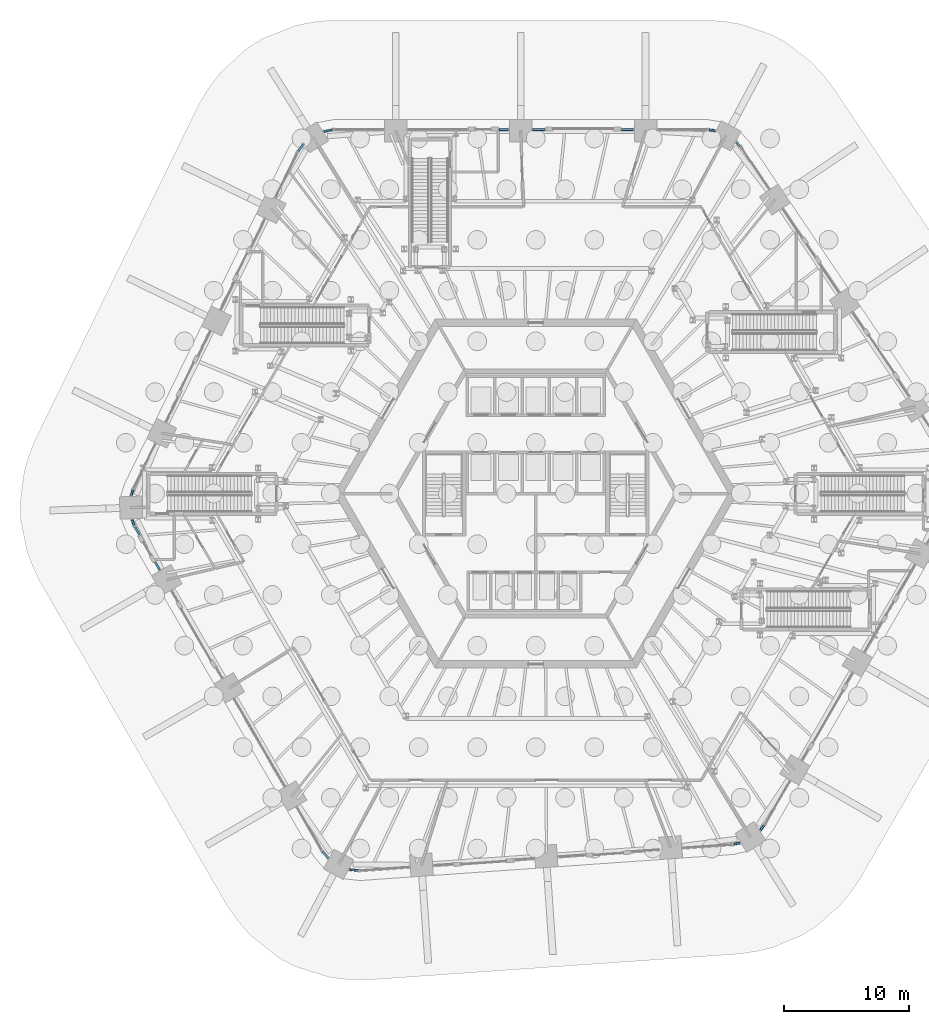
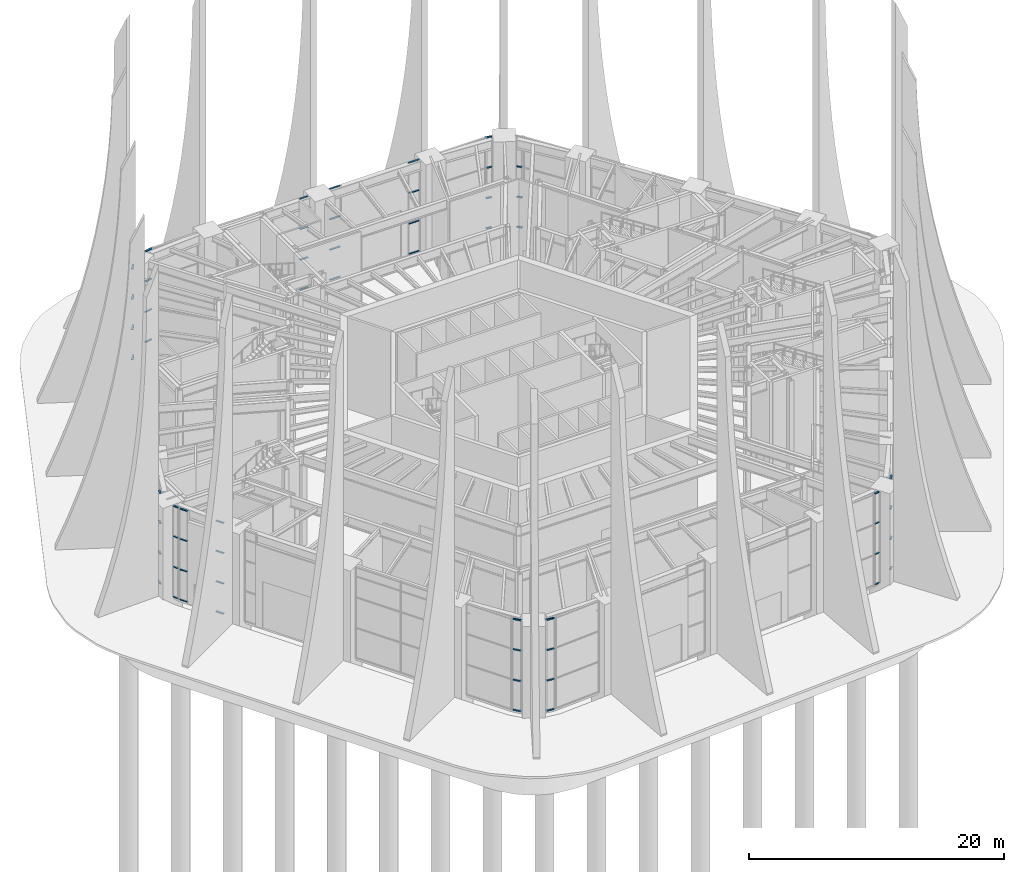
# One storey, part 16 of 43: 59 members, 15 elements without a shape of their own.
"""IFC4 building model written with IfcOpenShell, lengths in metres."""

import ifcopenshell
import ifcopenshell.guid

model = None  # the IFC model being written
_history = None  # IfcOwnerHistory: only IFC2X3 demands one
_inside = {}  # id of a spatial element -> (the spatial element, [elements in it])
_under = {}  # id of a project, library or spatial element -> (it, [spatial elements below it])
_declared = {}  # id of a project -> (the project, [libraries it declares])
_typed = {}  # id of a type object -> (the type object, [elements of that type])
_made_of = {}  # id of a material, layer set ... -> (it, [elements and type objects made of it])


def new_model(schema):
    """Start an empty IFC model of exactly this schema.

    Asked for "IFC4X3", IfcOpenShell would pick the latest addendum, in which some entities
    have other attributes; the version numbers below select the first issue.
    IFC2X3 requires an IfcOwnerHistory on every rooted entity: one is made here for all.
    """
    global model, _history
    if schema == "IFC4X3":
        model = ifcopenshell.file(schema_version=(4, 3, 0, 0))
    else:
        model = ifcopenshell.file(schema=schema)
    _inside.clear()
    _under.clear()
    _declared.clear()
    _typed.clear()
    _made_of.clear()
    _history = None
    if model.schema == "IFC2X3":
        org = make("IfcOrganization", Name="unknown")
        user = make(
            "IfcPersonAndOrganization",
            ThePerson=make("IfcPerson", FamilyName="unknown"),
            TheOrganization=org,
        )
        app = make(
            "IfcApplication",
            ApplicationDeveloper=org,
            Version="unknown",
            ApplicationFullName="unknown",
            ApplicationIdentifier="unknown",
        )
        _history = make(
            "IfcOwnerHistory",
            OwningUser=user,
            OwningApplication=app,
            ChangeAction="ADDED",
            CreationDate=0,
        )
    return model


def make(cls, **values):
    """One entity of the class cls with the attributes given. An attribute that is None is left unset."""
    return model.create_entity(
        cls, **{name: value for name, value in values.items() if value is not None}
    )


def rooted(cls, **values):
    """An entity with a GlobalId (a new one), such as an element, a storey or a relation."""
    return make(cls, GlobalId=ifcopenshell.guid.new(), OwnerHistory=_history, **values)


def si_unit(unit_type, name, prefix=None):
    """IfcSIUnit, for example si_unit("LENGTHUNIT", "METRE", prefix="MILLI")."""
    return make("IfcSIUnit", UnitType=unit_type, Prefix=prefix, Name=name)


def assignment(units):
    """IfcUnitAssignment: the units of a project."""
    return None if units is None else make("IfcUnitAssignment", Units=units)


def point(xyz):
    """IfcCartesianPoint."""
    return None if xyz is None else make("IfcCartesianPoint", Coordinates=xyz)


def direction(xyz):
    """IfcDirection."""
    return None if xyz is None else make("IfcDirection", DirectionRatios=xyz)


def frame(location, z_axis=None, x_axis=None):
    """IfcAxis2Placement3D, a coordinate frame: its origin and axes. An axis left out is left unset."""
    return make(
        "IfcAxis2Placement3D",
        Location=point(location),
        Axis=direction(z_axis),
        RefDirection=direction(x_axis),
    )


def frame_2d(location, x_axis=None):
    """IfcAxis2Placement2D, a coordinate frame in the plane: its origin and x axis."""
    return make(
        "IfcAxis2Placement2D", Location=point(location), RefDirection=direction(x_axis)
    )


def origin():
    """The frame at (0, 0, 0) with its axes left unset."""
    return frame((0.0, 0.0, 0.0))


def origin_2d():
    """The frame at (0, 0) in the plane with its x axis left unset."""
    return frame_2d((0.0, 0.0))


def place(relative_to, where):
    """IfcLocalPlacement: puts the frame where relative to a parent placement (None: the world)."""
    return make(
        "IfcLocalPlacement", PlacementRelTo=relative_to, RelativePlacement=where
    )


def context(
    kind, dimensions, precision=None, world=None, true_north=None, identifier=None
):
    """IfcGeometricRepresentationContext, for example the 3D "Model" context."""
    return make(
        "IfcGeometricRepresentationContext",
        ContextIdentifier=identifier,
        ContextType=kind,
        CoordinateSpaceDimension=dimensions,
        Precision=precision,
        WorldCoordinateSystem=world,
        TrueNorth=true_north,
    )


def subcontext(parent, identifier, kind, view, scale=None):
    """IfcGeometricRepresentationSubContext, for example "Body" below "Model"."""
    return make(
        "IfcGeometricRepresentationSubContext",
        ContextIdentifier=identifier,
        ContextType=kind,
        ParentContext=parent,
        TargetScale=scale,
        TargetView=view,
    )


def project(units=None, contexts=None):
    """IfcProject with its units and contexts."""
    return rooted(
        "IfcProject",
        Name="project",
        RepresentationContexts=contexts,
        UnitsInContext=assignment(units),
    )


def spatial(cls, under=None, at=None, **own):
    """A site, building, storey or space (cls), placed at a placement, below another one or the project."""
    s = rooted(cls, ObjectPlacement=at, **own)
    if under is not None:
        _under.setdefault(under.id(), (under, []))[1].append(s)
    return s


def profile(cls, at=None, kind="AREA", **sizes):
    """A parametric profile (cls). Its sizes go by their IFC names, for example OverallWidth=200.0."""
    return make(cls, ProfileType=kind, Position=at, **sizes)


def rectangle(**sizes):
    """IfcRectangleProfileDef."""
    return profile("IfcRectangleProfileDef", **sizes)


def extrude(swept, where, along, depth):
    """IfcExtrudedAreaSolid: the profile swept, set in the frame where, extruded along a direction by depth."""
    return make(
        "IfcExtrudedAreaSolid",
        SweptArea=swept,
        Position=where,
        ExtrudedDirection=direction(along),
        Depth=depth,
    )


def shape(context_of_items, identifier, shape_type, items):
    """IfcShapeRepresentation: the items that make up one representation, for example the "Body"."""
    return make(
        "IfcShapeRepresentation",
        ContextOfItems=context_of_items,
        RepresentationIdentifier=identifier,
        RepresentationType=shape_type,
        Items=items,
    )


def material(Name=None, Category=None):
    """IfcMaterial."""
    return make("IfcMaterial", Name=Name, Category=Category)


def material_profile(
    of_material, cross_section, Name=None, Category=None, Priority=None
):
    """IfcMaterialProfile: a cross section and its material."""
    return make(
        "IfcMaterialProfile",
        Name=Name,
        Material=of_material,
        Profile=cross_section,
        Priority=Priority,
        Category=Category,
    )


def profile_set(profiles, Name=None, composite=None):
    """IfcMaterialProfileSet."""
    return make(
        "IfcMaterialProfileSet",
        Name=Name,
        MaterialProfiles=profiles,
        CompositeProfile=composite,
    )


def made_of(thing, what):
    """Note that an element or type object is made of a material, layer set ...; save() writes the relation."""
    if what is not None:
        _made_of.setdefault(what.id(), (what, []))[1].append(thing)
    return thing


def type_object(cls, material=None, **own):
    """A type object (cls), such as IfcWallType, which elements share."""
    return made_of(rooted(cls, **own), material)


def element(
    cls,
    number,
    at=None,
    inside=None,
    cuts=None,
    type_object=None,
    material=None,
    context=None,
    identifier="Body",
    shape_type=None,
    held_by="IfcProductDefinitionShape",
    body=None,
    shapes=None,
    **own,
):
    """One element of the class cls, such as IfcWall. Its Tag is "e" and its number.

    at: its placement. inside: the storey or other place that contains it. cuts: it is an
    opening in that element (IfcRelVoidsElement). A single representation is given by context,
    identifier, shape_type and body (its items); several are given by shapes. held_by: the class
    of the entity that holds the representations. save() writes the other relations.
    """
    e = rooted(cls, Tag="e%d" % number, ObjectPlacement=at, **own)
    if body is not None:
        shapes = [shape(context, identifier, shape_type, body)]
    if shapes is not None:
        e.Representation = make(held_by, Representations=shapes)
    if inside is not None:
        _inside.setdefault(inside.id(), (inside, []))[1].append(e)
    if cuts is not None:
        rooted(
            "IfcRelVoidsElement", RelatingBuildingElement=cuts, RelatedOpeningElement=e
        )
    if type_object is not None:
        _typed.setdefault(type_object.id(), (type_object, []))[1].append(e)
    return made_of(e, material)


def aggregate(whole, parts):
    """IfcRelAggregates: a whole, such as a stair, and the parts it consists of."""
    return rooted("IfcRelAggregates", RelatingObject=whole, RelatedObjects=parts)


def save(model, path):
    """Write the relations noted so far, then the file.

    IfcRelAggregates (storeys below a building ...), IfcRelContainedInSpatialStructure (elements
    in a storey), IfcRelDefinesByType, IfcRelAssociatesMaterial and IfcRelDeclares: one each for
    every whole, place, type object, material and project.
    """
    for whole, parts in _under.values():
        aggregate(whole, parts)
    for where, things in _inside.values():
        rooted(
            "IfcRelContainedInSpatialStructure",
            RelatedElements=things,
            RelatingStructure=where,
        )
    for kind, things in _typed.values():
        rooted("IfcRelDefinesByType", RelatedObjects=things, RelatingType=kind)
    for what, things in _made_of.values():
        rooted("IfcRelAssociatesMaterial", RelatedObjects=things, RelatingMaterial=what)
    for by, libraries in _declared.values():
        rooted("IfcRelDeclares", RelatingContext=by, RelatedDefinitions=libraries)
    model.write(path)


model = new_model("IFC4")

# Units and contexts
model_context = context("Model", 3, precision=1e-05, world=origin(), true_north=direction((0.0, 1.0)))
body_context = subcontext(model_context, "Body", "Model", "MODEL_VIEW")
ifc_project = project(units=[si_unit("LENGTHUNIT", "METRE"), si_unit("AREAUNIT", "SQUARE_METRE"), si_unit("VOLUMEUNIT", "CUBIC_METRE"), si_unit("PLANEANGLEUNIT", "RADIAN"), si_unit("MASSUNIT", "GRAM", prefix="KILO")], contexts=[model_context])

# Site, building, storey
site_placement = place(None, origin())
site = spatial("IfcSite", under=ifc_project, at=site_placement, CompositionType="ELEMENT")
building_placement = place(site_placement, origin())
building = spatial("IfcBuilding", under=site, at=building_placement, Name="Tarnside Tower", CompositionType="ELEMENT")
storey_placement = place(building_placement, origin())
storey = spatial("IfcBuildingStorey", under=building, at=storey_placement, Name="L00", CompositionType="ELEMENT", Elevation=0.0)

# Curtain wall, members
ifc_material_1 = material(Name="Station concourse glazing wall", Category="glass")
curtain_wall_type = type_object("IfcCurtainWallType", Name="Station concourse glazing wall", PredefinedType="NOTDEFINED", material=ifc_material_1)
curtain_wall_1_placement = place(storey_placement, origin())
curtain_wall_1 = element("IfcCurtainWall", 1, at=curtain_wall_1_placement, inside=storey, type_object=curtain_wall_type, Name="Side light 00a", PredefinedType="NOTDEFINED")
ifc_material_2 = material(Name="Aluminium alloy 6063", Category="aluminium")
ifc_material_profile = material_profile(ifc_material_2, rectangle(XDim=0.159912109375, YDim=0.080078125, at=origin_2d()), Name="Station concourse glazing transom 80 x 160")
ifc_profile_set = profile_set([ifc_material_profile], Name="Aluminium alloy 6063")
member_type = type_object("IfcMemberType", Name="Station concourse glazing transom 80 x 160", PredefinedType="USERDEFINED", material=ifc_profile_set)
member_1_placement = place(storey_placement, frame((7.83251953125, 29.199951171875, 0.0400390625), z_axis=(-1.0, 0.0, 0.0), x_axis=(0.0, -1.0, 0.0)))
member_1 = element("IfcMember", 2, at=member_1_placement, type_object=member_type, Name="CW1 transom 1.1", ObjectType="TRANSOM", PredefinedType="USERDEFINED", context=body_context, shape_type="SweptSolid", body=[
    extrude(rectangle(XDim=0.159912109375, YDim=0.080078125, at=origin_2d()), origin(), (0.0, 0.0, 1.0), 0.95166015625),
])
member_2_placement = place(storey_placement, frame((7.83251953125, 29.199951171875, 2.916748046875), z_axis=(-1.0, 0.0, 0.0), x_axis=(0.0, -1.0, 0.0)))
member_2 = element("IfcMember", 3, at=member_2_placement, type_object=member_type, Name="CW1 transom 1.2", ObjectType="TRANSOM", PredefinedType="USERDEFINED", context=body_context, shape_type="SweptSolid", body=[
    extrude(rectangle(XDim=0.159912109375, YDim=0.080078125, at=origin_2d()), origin(), (0.0, 0.0, 1.0), 0.95166015625),
])
member_3_placement = place(storey_placement, frame((7.83251953125, 29.199951171875, 5.833251953125), z_axis=(-1.0, 0.0, 0.0), x_axis=(0.0, -1.0, 0.0)))
member_3 = element("IfcMember", 4, at=member_3_placement, type_object=member_type, Name="CW1 transom 1.3", ObjectType="TRANSOM", PredefinedType="USERDEFINED", context=body_context, shape_type="SweptSolid", body=[
    extrude(rectangle(XDim=0.159912109375, YDim=0.080078125, at=origin_2d()), origin(), (0.0, 0.0, 1.0), 0.95166015625),
])
member_4_placement = place(storey_placement, frame((7.83251953125, 29.199951171875, 8.7099609375), z_axis=(-1.0, 0.0, 0.0), x_axis=(0.0, -1.0, 0.0)))
member_4 = element("IfcMember", 5, at=member_4_placement, type_object=member_type, Name="CW1 transom 1.4", ObjectType="TRANSOM", PredefinedType="USERDEFINED", context=body_context, shape_type="SweptSolid", body=[
    extrude(rectangle(XDim=0.159912109375, YDim=0.080078125, at=origin_2d()), origin(), (0.0, 0.0, 1.0), 0.95166015625),
])
aggregate(curtain_wall_1, [member_1, member_2, member_3, member_4])

curtain_wall_2_placement = place(storey_placement, origin())
curtain_wall_2 = element("IfcCurtainWall", 6, at=curtain_wall_2_placement, inside=storey, type_object=curtain_wall_type, Name="Side light 00b", PredefinedType="NOTDEFINED")
member_5_placement = place(storey_placement, frame((0.720703125, 29.199951171875, 0.0400390625), z_axis=(-1.0, 0.0, 0.0), x_axis=(0.0, -1.0, 0.0)))
member_5 = element("IfcMember", 7, at=member_5_placement, type_object=member_type, Name="CW1 transom 1.1", ObjectType="TRANSOM", PredefinedType="USERDEFINED", context=body_context, shape_type="SweptSolid", body=[
    extrude(rectangle(XDim=0.159912109375, YDim=0.080078125, at=origin_2d()), origin(), (0.0, 0.0, 1.0), 0.95166015625),
])
member_6_placement = place(storey_placement, frame((0.720703125, 29.199951171875, 2.916748046875), z_axis=(-1.0, 0.0, 0.0), x_axis=(0.0, -1.0, 0.0)))
member_6 = element("IfcMember", 8, at=member_6_placement, type_object=member_type, Name="CW1 transom 1.2", ObjectType="TRANSOM", PredefinedType="USERDEFINED", context=body_context, shape_type="SweptSolid", body=[
    extrude(rectangle(XDim=0.159912109375, YDim=0.080078125, at=origin_2d()), origin(), (0.0, 0.0, 1.0), 0.95166015625),
])
member_7_placement = place(storey_placement, frame((0.720703125, 29.199951171875, 5.833251953125), z_axis=(-1.0, 0.0, 0.0), x_axis=(0.0, -1.0, 0.0)))
member_7 = element("IfcMember", 9, at=member_7_placement, type_object=member_type, Name="CW1 transom 1.3", ObjectType="TRANSOM", PredefinedType="USERDEFINED", context=body_context, shape_type="SweptSolid", body=[
    extrude(rectangle(XDim=0.159912109375, YDim=0.080078125, at=origin_2d()), origin(), (0.0, 0.0, 1.0), 0.95166015625),
])
member_8_placement = place(storey_placement, frame((0.720703125, 29.199951171875, 8.7099609375), z_axis=(-1.0, 0.0, 0.0), x_axis=(0.0, -1.0, 0.0)))
member_8 = element("IfcMember", 10, at=member_8_placement, type_object=member_type, Name="CW1 transom 1.4", ObjectType="TRANSOM", PredefinedType="USERDEFINED", context=body_context, shape_type="SweptSolid", body=[
    extrude(rectangle(XDim=0.159912109375, YDim=0.080078125, at=origin_2d()), origin(), (0.0, 0.0, 1.0), 0.95166015625),
])
aggregate(curtain_wall_2, [member_5, member_6, member_7, member_8])

curtain_wall_3_placement = place(storey_placement, origin())
curtain_wall_3 = element("IfcCurtainWall", 11, at=curtain_wall_3_placement, inside=storey, type_object=curtain_wall_type, Name="Side light 010a", PredefinedType="NOTDEFINED")
member_9_placement = place(storey_placement, frame((-2.191162109375, 29.199951171875, 0.0400390625), z_axis=(-1.0, 0.0, 0.0), x_axis=(0.0, -1.0, 0.0)))
member_9 = element("IfcMember", 12, at=member_9_placement, type_object=member_type, Name="CW1 transom 1.1", ObjectType="TRANSOM", PredefinedType="USERDEFINED", context=body_context, shape_type="SweptSolid", body=[
    extrude(rectangle(XDim=0.159912109375, YDim=0.080078125, at=origin_2d()), origin(), (0.0, 0.0, 1.0), 0.739990234375),
])
member_10_placement = place(storey_placement, frame((-2.191162109375, 29.199951171875, 2.916748046875), z_axis=(-1.0, 0.0, 0.0), x_axis=(0.0, -1.0, 0.0)))
member_10 = element("IfcMember", 13, at=member_10_placement, type_object=member_type, Name="CW1 transom 1.2", ObjectType="TRANSOM", PredefinedType="USERDEFINED", context=body_context, shape_type="SweptSolid", body=[
    extrude(rectangle(XDim=0.159912109375, YDim=0.080078125, at=origin_2d()), origin(), (0.0, 0.0, 1.0), 0.739990234375),
])
member_11_placement = place(storey_placement, frame((-2.191162109375, 29.199951171875, 5.833251953125), z_axis=(-1.0, 0.0, 0.0), x_axis=(0.0, -1.0, 0.0)))
member_11 = element("IfcMember", 14, at=member_11_placement, type_object=member_type, Name="CW1 transom 1.3", ObjectType="TRANSOM", PredefinedType="USERDEFINED", context=body_context, shape_type="SweptSolid", body=[
    extrude(rectangle(XDim=0.159912109375, YDim=0.080078125, at=origin_2d()), origin(), (0.0, 0.0, 1.0), 0.739990234375),
])
member_12_placement = place(storey_placement, frame((-2.191162109375, 29.199951171875, 8.7099609375), z_axis=(-1.0, 0.0, 0.0), x_axis=(0.0, -1.0, 0.0)))
member_12 = element("IfcMember", 15, at=member_12_placement, type_object=member_type, Name="CW1 transom 1.4", ObjectType="TRANSOM", PredefinedType="USERDEFINED", context=body_context, shape_type="SweptSolid", body=[
    extrude(rectangle(XDim=0.159912109375, YDim=0.080078125, at=origin_2d()), origin(), (0.0, 0.0, 1.0), 0.739990234375),
])
aggregate(curtain_wall_3, [member_9, member_10, member_11, member_12])

curtain_wall_4_placement = place(storey_placement, origin())
curtain_wall_4 = element("IfcCurtainWall", 16, at=curtain_wall_4_placement, inside=storey, type_object=curtain_wall_type, Name="Station concourse glazing L00 02.1", PredefinedType="NOTDEFINED")
member_13_placement = place(storey_placement, frame((-16.34375, 29.183349609375, 0.0400390625), z_axis=(-0.982746578924, -0.184957188595, 0.0), x_axis=(0.184957188595, -0.982746578924, 0.0)))
member_13 = element("IfcMember", 17, at=member_13_placement, type_object=member_type, Name="CW1 transom 1.1", ObjectType="TRANSOM", PredefinedType="USERDEFINED", context=body_context, shape_type="SweptSolid", body=[
    extrude(rectangle(XDim=0.159912109375, YDim=0.080078125, at=origin_2d()), origin(), (0.0, 0.0, 1.0), 0.661376953125),
])
member_14_placement = place(storey_placement, frame((-16.34375, 29.183349609375, 2.916748046875), z_axis=(-0.982746578924, -0.184957188595, 0.0), x_axis=(0.184957188595, -0.982746578924, 0.0)))
member_14 = element("IfcMember", 18, at=member_14_placement, type_object=member_type, Name="CW1 transom 1.2", ObjectType="TRANSOM", PredefinedType="USERDEFINED", context=body_context, shape_type="SweptSolid", body=[
    extrude(rectangle(XDim=0.159912109375, YDim=0.080078125, at=origin_2d()), origin(), (0.0, 0.0, 1.0), 0.661376953125),
])
member_15_placement = place(storey_placement, frame((-16.34375, 29.183349609375, 5.833251953125), z_axis=(-0.982746578924, -0.184957188595, 0.0), x_axis=(0.184957188595, -0.982746578924, 0.0)))
member_15 = element("IfcMember", 19, at=member_15_placement, type_object=member_type, Name="CW1 transom 1.3", ObjectType="TRANSOM", PredefinedType="USERDEFINED", context=body_context, shape_type="SweptSolid", body=[
    extrude(rectangle(XDim=0.159912109375, YDim=0.080078125, at=origin_2d()), origin(), (0.0, 0.0, 1.0), 0.661376953125),
])
member_16_placement = place(storey_placement, frame((-16.34375, 29.183349609375, 8.7099609375), z_axis=(-0.982746578924, -0.184957188595, 0.0), x_axis=(0.184957188595, -0.982746578924, 0.0)))
member_16 = element("IfcMember", 20, at=member_16_placement, type_object=member_type, Name="CW1 transom 1.4", ObjectType="TRANSOM", PredefinedType="USERDEFINED", context=body_context, shape_type="SweptSolid", body=[
    extrude(rectangle(XDim=0.159912109375, YDim=0.080078125, at=origin_2d()), origin(), (0.0, 0.0, 1.0), 0.661376953125),
])
aggregate(curtain_wall_4, [member_13, member_14, member_15, member_16])

curtain_wall_5_placement = place(storey_placement, origin())
curtain_wall_5 = element("IfcCurtainWall", 21, at=curtain_wall_5_placement, inside=storey, type_object=curtain_wall_type, Name="Station concourse glazing L00 03.0", PredefinedType="NOTDEFINED")
member_17_placement = place(storey_placement, frame((-18.67041015625, 28.013427734375, 0.0400390625), z_axis=(-0.596983140621, -0.802253781428, 0.0), x_axis=(0.802253781428, -0.596983140621, 0.0)))
member_17 = element("IfcMember", 22, at=member_17_placement, type_object=member_type, Name="CW1 transom 1.1", ObjectType="TRANSOM", PredefinedType="USERDEFINED", context=body_context, shape_type="SweptSolid", body=[
    extrude(rectangle(XDim=0.159912109375, YDim=0.080078125, at=origin_2d()), origin(), (0.0, 0.0, 1.0), 0.661376953125),
])
member_18_placement = place(storey_placement, frame((-18.67041015625, 28.013427734375, 2.916748046875), z_axis=(-0.596983140621, -0.802253781428, 0.0), x_axis=(0.802253781428, -0.596983140621, 0.0)))
member_18 = element("IfcMember", 23, at=member_18_placement, type_object=member_type, Name="CW1 transom 1.2", ObjectType="TRANSOM", PredefinedType="USERDEFINED", context=body_context, shape_type="SweptSolid", body=[
    extrude(rectangle(XDim=0.159912109375, YDim=0.080078125, at=origin_2d()), origin(), (0.0, 0.0, 1.0), 0.661376953125),
])
member_19_placement = place(storey_placement, frame((-18.67041015625, 28.013427734375, 5.833251953125), z_axis=(-0.596983140621, -0.802253781428, 0.0), x_axis=(0.802253781428, -0.596983140621, 0.0)))
member_19 = element("IfcMember", 24, at=member_19_placement, type_object=member_type, Name="CW1 transom 1.3", ObjectType="TRANSOM", PredefinedType="USERDEFINED", context=body_context, shape_type="SweptSolid", body=[
    extrude(rectangle(XDim=0.159912109375, YDim=0.080078125, at=origin_2d()), origin(), (0.0, 0.0, 1.0), 0.661376953125),
])
member_20_placement = place(storey_placement, frame((-18.67041015625, 28.013427734375, 8.7099609375), z_axis=(-0.596983140621, -0.802253781428, 0.0), x_axis=(0.802253781428, -0.596983140621, 0.0)))
member_20 = element("IfcMember", 25, at=member_20_placement, type_object=member_type, Name="CW1 transom 1.4", ObjectType="TRANSOM", PredefinedType="USERDEFINED", context=body_context, shape_type="SweptSolid", body=[
    extrude(rectangle(XDim=0.159912109375, YDim=0.080078125, at=origin_2d()), origin(), (0.0, 0.0, 1.0), 0.661376953125),
])
aggregate(curtain_wall_5, [member_17, member_18, member_19, member_20])

curtain_wall_6_placement = place(storey_placement, origin())
curtain_wall_6 = element("IfcCurtainWall", 26, at=curtain_wall_6_placement, inside=storey, type_object=curtain_wall_type, Name="Station concourse glazing L00 06.1", PredefinedType="NOTDEFINED")
member_21_placement = place(storey_placement, frame((-32.333984375, 0.283203125, 0.0400390625), z_axis=(-0.286647862897, -0.958036013257, 0.0), x_axis=(0.958036013257, -0.286647862897, 0.0)))
member_21 = element("IfcMember", 27, at=member_21_placement, type_object=member_type, Name="CW1 transom 1.1", ObjectType="TRANSOM", PredefinedType="USERDEFINED", context=body_context, shape_type="SweptSolid", body=[
    extrude(rectangle(XDim=0.159912109375, YDim=0.080078125, at=origin_2d()), origin(), (0.0, 0.0, 1.0), 0.447998046875),
])
member_22_placement = place(storey_placement, frame((-32.333984375, 0.283203125, 2.916748046875), z_axis=(-0.286647862897, -0.958036013257, 0.0), x_axis=(0.958036013257, -0.286647862897, 0.0)))
member_22 = element("IfcMember", 28, at=member_22_placement, type_object=member_type, Name="CW1 transom 1.2", ObjectType="TRANSOM", PredefinedType="USERDEFINED", context=body_context, shape_type="SweptSolid", body=[
    extrude(rectangle(XDim=0.159912109375, YDim=0.080078125, at=origin_2d()), origin(), (0.0, 0.0, 1.0), 0.447998046875),
])
member_23_placement = place(storey_placement, frame((-32.333984375, 0.283203125, 5.833251953125), z_axis=(-0.286647862897, -0.958036013257, 0.0), x_axis=(0.958036013257, -0.286647862897, 0.0)))
member_23 = element("IfcMember", 29, at=member_23_placement, type_object=member_type, Name="CW1 transom 1.3", ObjectType="TRANSOM", PredefinedType="USERDEFINED", context=body_context, shape_type="SweptSolid", body=[
    extrude(rectangle(XDim=0.159912109375, YDim=0.080078125, at=origin_2d()), origin(), (0.0, 0.0, 1.0), 0.447998046875),
])
member_24_placement = place(storey_placement, frame((-32.333984375, 0.283203125, 8.7099609375), z_axis=(-0.286647862897, -0.958036013257, 0.0), x_axis=(0.958036013257, -0.286647862897, 0.0)))
member_24 = element("IfcMember", 30, at=member_24_placement, type_object=member_type, Name="CW1 transom 1.4", ObjectType="TRANSOM", PredefinedType="USERDEFINED", context=body_context, shape_type="SweptSolid", body=[
    extrude(rectangle(XDim=0.159912109375, YDim=0.080078125, at=origin_2d()), origin(), (0.0, 0.0, 1.0), 0.447998046875),
])
aggregate(curtain_wall_6, [member_21, member_22, member_23, member_24])

curtain_wall_7_placement = place(storey_placement, origin())
curtain_wall_7 = element("IfcCurtainWall", 31, at=curtain_wall_7_placement, inside=storey, type_object=curtain_wall_type, Name="Side light 070a", PredefinedType="NOTDEFINED")
member_25_placement = place(storey_placement, frame((-32.3935546875, -2.11865234375, 0.0400390625), z_axis=(0.352913328907, -0.93565601707, 0.0), x_axis=(0.93565601707, 0.352913328907, 0.0)))
member_25 = element("IfcMember", 32, at=member_25_placement, type_object=member_type, Name="CW1 transom 1.1", ObjectType="TRANSOM", PredefinedType="USERDEFINED", context=body_context, shape_type="SweptSolid", body=[
    extrude(rectangle(XDim=0.159912109375, YDim=0.080078125, at=origin_2d()), origin(), (0.0, 0.0, 1.0), 0.4482421875),
])
member_26_placement = place(storey_placement, frame((-32.3935546875, -2.11865234375, 2.916748046875), z_axis=(0.352913328907, -0.93565601707, 0.0), x_axis=(0.93565601707, 0.352913328907, 0.0)))
member_26 = element("IfcMember", 33, at=member_26_placement, type_object=member_type, Name="CW1 transom 1.2", ObjectType="TRANSOM", PredefinedType="USERDEFINED", context=body_context, shape_type="SweptSolid", body=[
    extrude(rectangle(XDim=0.159912109375, YDim=0.080078125, at=origin_2d()), origin(), (0.0, 0.0, 1.0), 0.4482421875),
])
member_27_placement = place(storey_placement, frame((-32.3935546875, -2.11865234375, 5.833251953125), z_axis=(0.352913328907, -0.93565601707, 0.0), x_axis=(0.93565601707, 0.352913328907, 0.0)))
member_27 = element("IfcMember", 34, at=member_27_placement, type_object=member_type, Name="CW1 transom 1.3", ObjectType="TRANSOM", PredefinedType="USERDEFINED", context=body_context, shape_type="SweptSolid", body=[
    extrude(rectangle(XDim=0.159912109375, YDim=0.080078125, at=origin_2d()), origin(), (0.0, 0.0, 1.0), 0.4482421875),
])
member_28_placement = place(storey_placement, frame((-32.3935546875, -2.11865234375, 8.7099609375), z_axis=(0.352913328907, -0.93565601707, 0.0), x_axis=(0.93565601707, 0.352913328907, 0.0)))
member_28 = element("IfcMember", 35, at=member_28_placement, type_object=member_type, Name="CW1 transom 1.4", ObjectType="TRANSOM", PredefinedType="USERDEFINED", context=body_context, shape_type="SweptSolid", body=[
    extrude(rectangle(XDim=0.159912109375, YDim=0.080078125, at=origin_2d()), origin(), (0.0, 0.0, 1.0), 0.4482421875),
])
aggregate(curtain_wall_7, [member_25, member_26, member_27, member_28])

curtain_wall_8_placement = place(storey_placement, origin())
curtain_wall_8 = element("IfcCurtainWall", 36, at=curtain_wall_8_placement, inside=storey, type_object=curtain_wall_type, Name="Side light 071a", PredefinedType="NOTDEFINED")
member_29_placement = place(storey_placement, frame((-32.16015625, -2.697021484375, 0.0400390625), z_axis=(0.500026194733, -0.86601027972, 0.0), x_axis=(0.86601027972, 0.500026194733, 0.0)))
member_29 = element("IfcMember", 37, at=member_29_placement, type_object=member_type, Name="CW1 transom 1.1", ObjectType="TRANSOM", PredefinedType="USERDEFINED", context=body_context, shape_type="SweptSolid", body=[
    extrude(rectangle(XDim=0.159912109375, YDim=0.080078125, at=origin_2d()), origin(), (0.0, 0.0, 1.0), 0.69580078125),
])
member_30_placement = place(storey_placement, frame((-32.16015625, -2.697021484375, 2.916748046875), z_axis=(0.500026194733, -0.86601027972, 0.0), x_axis=(0.86601027972, 0.500026194733, 0.0)))
member_30 = element("IfcMember", 38, at=member_30_placement, type_object=member_type, Name="CW1 transom 1.2", ObjectType="TRANSOM", PredefinedType="USERDEFINED", context=body_context, shape_type="SweptSolid", body=[
    extrude(rectangle(XDim=0.159912109375, YDim=0.080078125, at=origin_2d()), origin(), (0.0, 0.0, 1.0), 0.69580078125),
])
member_31_placement = place(storey_placement, frame((-32.16015625, -2.697021484375, 5.833251953125), z_axis=(0.500026194733, -0.86601027972, 0.0), x_axis=(0.86601027972, 0.500026194733, 0.0)))
member_31 = element("IfcMember", 39, at=member_31_placement, type_object=member_type, Name="CW1 transom 1.3", ObjectType="TRANSOM", PredefinedType="USERDEFINED", context=body_context, shape_type="SweptSolid", body=[
    extrude(rectangle(XDim=0.159912109375, YDim=0.080078125, at=origin_2d()), origin(), (0.0, 0.0, 1.0), 0.69580078125),
])
member_32_placement = place(storey_placement, frame((-32.16015625, -2.697021484375, 8.7099609375), z_axis=(0.500026194733, -0.86601027972, 0.0), x_axis=(0.86601027972, 0.500026194733, 0.0)))
member_32 = element("IfcMember", 40, at=member_32_placement, type_object=member_type, Name="CW1 transom 1.4", ObjectType="TRANSOM", PredefinedType="USERDEFINED", context=body_context, shape_type="SweptSolid", body=[
    extrude(rectangle(XDim=0.159912109375, YDim=0.080078125, at=origin_2d()), origin(), (0.0, 0.0, 1.0), 0.69580078125),
])
aggregate(curtain_wall_8, [member_29, member_30, member_31, member_32])

curtain_wall_9_placement = place(storey_placement, origin())
curtain_wall_9 = element("IfcCurtainWall", 41, at=curtain_wall_9_placement, inside=storey, type_object=curtain_wall_type, Name="Side light 071x1", PredefinedType="NOTDEFINED")
member_33_placement = place(storey_placement, frame((-30.5322265625, -5.5166015625, 0.0400390625), z_axis=(0.499874285655, -0.86609797283, 0.0), x_axis=(0.86609797283, 0.499874285655, 0.0)))
member_33 = element("IfcMember", 42, at=member_33_placement, type_object=member_type, Name="CW1 transom 1.1", ObjectType="TRANSOM", PredefinedType="USERDEFINED", context=body_context, shape_type="SweptSolid", body=[
    extrude(rectangle(XDim=0.159912109375, YDim=0.080078125, at=origin_2d()), origin(), (0.0, 0.0, 1.0), 0.696044921875),
])
member_34_placement = place(storey_placement, frame((-30.5322265625, -5.5166015625, 2.916748046875), z_axis=(0.499874285655, -0.86609797283, 0.0), x_axis=(0.86609797283, 0.499874285655, 0.0)))
member_34 = element("IfcMember", 43, at=member_34_placement, type_object=member_type, Name="CW1 transom 1.2", ObjectType="TRANSOM", PredefinedType="USERDEFINED", context=body_context, shape_type="SweptSolid", body=[
    extrude(rectangle(XDim=0.159912109375, YDim=0.080078125, at=origin_2d()), origin(), (0.0, 0.0, 1.0), 0.696044921875),
])
member_35_placement = place(storey_placement, frame((-30.5322265625, -5.5166015625, 5.833251953125), z_axis=(0.499874285655, -0.86609797283, 0.0), x_axis=(0.86609797283, 0.499874285655, 0.0)))
member_35 = element("IfcMember", 44, at=member_35_placement, type_object=member_type, Name="CW1 transom 1.3", ObjectType="TRANSOM", PredefinedType="USERDEFINED", context=body_context, shape_type="SweptSolid", body=[
    extrude(rectangle(XDim=0.159912109375, YDim=0.080078125, at=origin_2d()), origin(), (0.0, 0.0, 1.0), 0.696044921875),
])
member_36_placement = place(storey_placement, frame((-30.5322265625, -5.5166015625, 8.7099609375), z_axis=(0.499874285655, -0.86609797283, 0.0), x_axis=(0.86609797283, 0.499874285655, 0.0)))
member_36 = element("IfcMember", 45, at=member_36_placement, type_object=member_type, Name="CW1 transom 1.4", ObjectType="TRANSOM", PredefinedType="USERDEFINED", context=body_context, shape_type="SweptSolid", body=[
    extrude(rectangle(XDim=0.159912109375, YDim=0.080078125, at=origin_2d()), origin(), (0.0, 0.0, 1.0), 0.696044921875),
])
aggregate(curtain_wall_9, [member_33, member_34, member_35, member_36])

curtain_wall_10_placement = place(storey_placement, origin())
curtain_wall_10 = element("IfcCurtainWall", 46, at=curtain_wall_10_placement, inside=storey, type_object=curtain_wall_type, Name="Station concourse glazing L00 10.1", PredefinedType="NOTDEFINED")
member_37_placement = place(storey_placement, frame((-17.101806640625, -28.745849609375, 0.0400390625), z_axis=(0.651763426337, -0.758422333591, 0.0), x_axis=(0.758422333591, 0.651763426337, 0.0)))
member_37 = element("IfcMember", 47, at=member_37_placement, type_object=member_type, Name="CW1 transom 1.1", ObjectType="TRANSOM", PredefinedType="USERDEFINED", context=body_context, shape_type="SweptSolid", body=[
    extrude(rectangle(XDim=0.159912109375, YDim=0.080078125, at=origin_2d()), origin(), (0.0, 0.0, 1.0), 0.66162109375),
])
member_38_placement = place(storey_placement, frame((-17.101806640625, -28.745849609375, 2.916748046875), z_axis=(0.651763426337, -0.758422333591, 0.0), x_axis=(0.758422333591, 0.651763426337, 0.0)))
member_38 = element("IfcMember", 48, at=member_38_placement, type_object=member_type, Name="CW1 transom 1.2", ObjectType="TRANSOM", PredefinedType="USERDEFINED", context=body_context, shape_type="SweptSolid", body=[
    extrude(rectangle(XDim=0.159912109375, YDim=0.080078125, at=origin_2d()), origin(), (0.0, 0.0, 1.0), 0.66162109375),
])
member_39_placement = place(storey_placement, frame((-17.101806640625, -28.745849609375, 5.833251953125), z_axis=(0.651763426337, -0.758422333591, 0.0), x_axis=(0.758422333591, 0.651763426337, 0.0)))
member_39 = element("IfcMember", 49, at=member_39_placement, type_object=member_type, Name="CW1 transom 1.3", ObjectType="TRANSOM", PredefinedType="USERDEFINED", context=body_context, shape_type="SweptSolid", body=[
    extrude(rectangle(XDim=0.159912109375, YDim=0.080078125, at=origin_2d()), origin(), (0.0, 0.0, 1.0), 0.66162109375),
])
member_40_placement = place(storey_placement, frame((-17.101806640625, -28.745849609375, 8.7099609375), z_axis=(0.651763426337, -0.758422333591, 0.0), x_axis=(0.758422333591, 0.651763426337, 0.0)))
member_40 = element("IfcMember", 50, at=member_40_placement, type_object=member_type, Name="CW1 transom 1.4", ObjectType="TRANSOM", PredefinedType="USERDEFINED", context=body_context, shape_type="SweptSolid", body=[
    extrude(rectangle(XDim=0.159912109375, YDim=0.080078125, at=origin_2d()), origin(), (0.0, 0.0, 1.0), 0.66162109375),
])
aggregate(curtain_wall_10, [member_37, member_38, member_39, member_40])

curtain_wall_11_placement = place(storey_placement, origin())
curtain_wall_11 = element("IfcCurtainWall", 51, at=curtain_wall_11_placement, inside=storey, type_object=curtain_wall_type, Name="Station concourse glazing L00 11.0", PredefinedType="NOTDEFINED")
member_41_placement = place(storey_placement, frame((-14.925048828125, -30.17578125, 0.0400390625), z_axis=(0.993261014722, -0.115898906957, 0.0), x_axis=(0.115898906957, 0.993261014722, 0.0)))
member_41 = element("IfcMember", 52, at=member_41_placement, type_object=member_type, Name="CW1 transom 1.1", ObjectType="TRANSOM", PredefinedType="USERDEFINED", context=body_context, shape_type="SweptSolid", body=[
    extrude(rectangle(XDim=0.159912109375, YDim=0.080078125, at=origin_2d()), origin(), (0.0, 0.0, 1.0), 0.661376953125),
])
member_42_placement = place(storey_placement, frame((-14.925048828125, -30.17578125, 2.916748046875), z_axis=(0.993261014722, -0.115898906957, 0.0), x_axis=(0.115898906957, 0.993261014722, 0.0)))
member_42 = element("IfcMember", 53, at=member_42_placement, type_object=member_type, Name="CW1 transom 1.2", ObjectType="TRANSOM", PredefinedType="USERDEFINED", context=body_context, shape_type="SweptSolid", body=[
    extrude(rectangle(XDim=0.159912109375, YDim=0.080078125, at=origin_2d()), origin(), (0.0, 0.0, 1.0), 0.661376953125),
])
member_43_placement = place(storey_placement, frame((-14.925048828125, -30.17578125, 5.833251953125), z_axis=(0.993261014722, -0.115898906957, 0.0), x_axis=(0.115898906957, 0.993261014722, 0.0)))
member_43 = element("IfcMember", 54, at=member_43_placement, type_object=member_type, Name="CW1 transom 1.3", ObjectType="TRANSOM", PredefinedType="USERDEFINED", context=body_context, shape_type="SweptSolid", body=[
    extrude(rectangle(XDim=0.159912109375, YDim=0.080078125, at=origin_2d()), origin(), (0.0, 0.0, 1.0), 0.661376953125),
])
member_44_placement = place(storey_placement, frame((-14.925048828125, -30.17578125, 8.7099609375), z_axis=(0.993261014722, -0.115898906957, 0.0), x_axis=(0.115898906957, 0.993261014722, 0.0)))
member_44 = element("IfcMember", 55, at=member_44_placement, type_object=member_type, Name="CW1 transom 1.4", ObjectType="TRANSOM", PredefinedType="USERDEFINED", context=body_context, shape_type="SweptSolid", body=[
    extrude(rectangle(XDim=0.159912109375, YDim=0.080078125, at=origin_2d()), origin(), (0.0, 0.0, 1.0), 0.661376953125),
])
aggregate(curtain_wall_11, [member_41, member_42, member_43, member_44])

curtain_wall_12_placement = place(storey_placement, origin())
curtain_wall_12 = element("IfcCurtainWall", 56, at=curtain_wall_12_placement, inside=storey, type_object=curtain_wall_type, Name="Station concourse glazing L00 14.1", PredefinedType="NOTDEFINED")
member_45_placement = place(storey_placement, frame((15.921630859375, -28.1435546875, 0.0400390625), z_axis=(0.97308028749, 0.230466383879, 0.0), x_axis=(-0.230466383879, 0.97308028749, 0.0)))
member_45 = element("IfcMember", 57, at=member_45_placement, type_object=member_type, Name="CW1 transom 1.1", ObjectType="TRANSOM", PredefinedType="USERDEFINED", context=body_context, shape_type="SweptSolid", body=[
    extrude(rectangle(XDim=0.159912109375, YDim=0.080078125, at=origin_2d()), origin(), (0.0, 0.0, 1.0), 0.447998046875),
])
member_46_placement = place(storey_placement, frame((15.921630859375, -28.1435546875, 2.916748046875), z_axis=(0.97308028749, 0.230466383879, 0.0), x_axis=(-0.230466383879, 0.97308028749, 0.0)))
member_46 = element("IfcMember", 58, at=member_46_placement, type_object=member_type, Name="CW1 transom 1.2", ObjectType="TRANSOM", PredefinedType="USERDEFINED", context=body_context, shape_type="SweptSolid", body=[
    extrude(rectangle(XDim=0.159912109375, YDim=0.080078125, at=origin_2d()), origin(), (0.0, 0.0, 1.0), 0.447998046875),
])
member_47_placement = place(storey_placement, frame((15.921630859375, -28.1435546875, 5.833251953125), z_axis=(0.97308028749, 0.230466383879, 0.0), x_axis=(-0.230466383879, 0.97308028749, 0.0)))
member_47 = element("IfcMember", 59, at=member_47_placement, type_object=member_type, Name="CW1 transom 1.3", ObjectType="TRANSOM", PredefinedType="USERDEFINED", context=body_context, shape_type="SweptSolid", body=[
    extrude(rectangle(XDim=0.159912109375, YDim=0.080078125, at=origin_2d()), origin(), (0.0, 0.0, 1.0), 0.447998046875),
])
member_48_placement = place(storey_placement, frame((15.921630859375, -28.1435546875, 8.7099609375), z_axis=(0.97308028749, 0.230466383879, 0.0), x_axis=(-0.230466383879, 0.97308028749, 0.0)))
member_48 = element("IfcMember", 60, at=member_48_placement, type_object=member_type, Name="CW1 transom 1.4", ObjectType="TRANSOM", PredefinedType="USERDEFINED", context=body_context, shape_type="SweptSolid", body=[
    extrude(rectangle(XDim=0.159912109375, YDim=0.080078125, at=origin_2d()), origin(), (0.0, 0.0, 1.0), 0.447998046875),
])
aggregate(curtain_wall_12, [member_45, member_46, member_47, member_48])

curtain_wall_13_placement = place(storey_placement, origin())
curtain_wall_13 = element("IfcCurtainWall", 61, at=curtain_wall_13_placement, inside=storey, type_object=curtain_wall_type, Name="Station concourse glazing L00 15.0", PredefinedType="NOTDEFINED")
member_49_placement = place(storey_placement, frame((18.03173828125, -26.994384765625, 0.0400390625), z_axis=(0.633356406053, 0.773860234739, 0.0), x_axis=(-0.773860234739, 0.633356406053, 0.0)))
member_49 = element("IfcMember", 62, at=member_49_placement, type_object=member_type, Name="CW1 transom 1.1", ObjectType="TRANSOM", PredefinedType="USERDEFINED", context=body_context, shape_type="SweptSolid", body=[
    extrude(rectangle(XDim=0.159912109375, YDim=0.080078125, at=origin_2d()), origin(), (0.0, 0.0, 1.0), 0.4482421875),
])
member_50_placement = place(storey_placement, frame((18.03173828125, -26.994384765625, 2.916748046875), z_axis=(0.633356406053, 0.773860234739, 0.0), x_axis=(-0.773860234739, 0.633356406053, 0.0)))
member_50 = element("IfcMember", 63, at=member_50_placement, type_object=member_type, Name="CW1 transom 1.2", ObjectType="TRANSOM", PredefinedType="USERDEFINED", context=body_context, shape_type="SweptSolid", body=[
    extrude(rectangle(XDim=0.159912109375, YDim=0.080078125, at=origin_2d()), origin(), (0.0, 0.0, 1.0), 0.4482421875),
])
member_51_placement = place(storey_placement, frame((18.03173828125, -26.994384765625, 5.833251953125), z_axis=(0.633356406053, 0.773860234739, 0.0), x_axis=(-0.773860234739, 0.633356406053, 0.0)))
member_51 = element("IfcMember", 64, at=member_51_placement, type_object=member_type, Name="CW1 transom 1.3", ObjectType="TRANSOM", PredefinedType="USERDEFINED", context=body_context, shape_type="SweptSolid", body=[
    extrude(rectangle(XDim=0.159912109375, YDim=0.080078125, at=origin_2d()), origin(), (0.0, 0.0, 1.0), 0.4482421875),
])
member_52_placement = place(storey_placement, frame((18.03173828125, -26.994384765625, 8.7099609375), z_axis=(0.633356406053, 0.773860234739, 0.0), x_axis=(-0.773860234739, 0.633356406053, 0.0)))
member_52 = element("IfcMember", 65, at=member_52_placement, type_object=member_type, Name="CW1 transom 1.4", ObjectType="TRANSOM", PredefinedType="USERDEFINED", context=body_context, shape_type="SweptSolid", body=[
    extrude(rectangle(XDim=0.159912109375, YDim=0.080078125, at=origin_2d()), origin(), (0.0, 0.0, 1.0), 0.4482421875),
])
aggregate(curtain_wall_13, [member_49, member_50, member_51, member_52])

curtain_wall_14_placement = place(storey_placement, origin())
curtain_wall_14 = element("IfcCurtainWall", 66, at=curtain_wall_14_placement, inside=storey, type_object=curtain_wall_type, Name="Station concourse glazing L00 22.1", PredefinedType="NOTDEFINED")
member_53_placement = place(storey_placement, frame((16.412353515625, 27.8603515625, 0.0400390625), z_axis=(-0.686383557248, 0.72723972137, 0.0), x_axis=(-0.72723972137, -0.686383557248, 0.0)))
member_53 = element("IfcMember", 67, at=member_53_placement, type_object=member_type, Name="CW1 transom 1.1", ObjectType="TRANSOM", PredefinedType="USERDEFINED", context=body_context, shape_type="SweptSolid", body=[
    extrude(rectangle(XDim=0.159912109375, YDim=0.080078125, at=origin_2d()), origin(), (0.0, 0.0, 1.0), 0.4482421875),
])
member_54_placement = place(storey_placement, frame((16.412353515625, 27.8603515625, 2.916748046875), z_axis=(-0.686383557248, 0.72723972137, 0.0), x_axis=(-0.72723972137, -0.686383557248, 0.0)))
member_54 = element("IfcMember", 68, at=member_54_placement, type_object=member_type, Name="CW1 transom 1.2", ObjectType="TRANSOM", PredefinedType="USERDEFINED", context=body_context, shape_type="SweptSolid", body=[
    extrude(rectangle(XDim=0.159912109375, YDim=0.080078125, at=origin_2d()), origin(), (0.0, 0.0, 1.0), 0.4482421875),
])
member_55_placement = place(storey_placement, frame((16.412353515625, 27.8603515625, 5.833251953125), z_axis=(-0.686383557248, 0.72723972137, 0.0), x_axis=(-0.72723972137, -0.686383557248, 0.0)))
member_55 = element("IfcMember", 69, at=member_55_placement, type_object=member_type, Name="CW1 transom 1.3", ObjectType="TRANSOM", PredefinedType="USERDEFINED", context=body_context, shape_type="SweptSolid", body=[
    extrude(rectangle(XDim=0.159912109375, YDim=0.080078125, at=origin_2d()), origin(), (0.0, 0.0, 1.0), 0.4482421875),
])
aggregate(curtain_wall_14, [member_53, member_54, member_55])

curtain_wall_15_placement = place(storey_placement, origin())
curtain_wall_15 = element("IfcCurtainWall", 70, at=curtain_wall_15_placement, inside=storey, type_object=curtain_wall_type, Name="Station concourse glazing L00 23.0", PredefinedType="NOTDEFINED")
member_56_placement = place(storey_placement, frame((14.36181640625, 29.113037109375, 0.0400390625), z_axis=(-0.986730523518, 0.162366480402, 0.0), x_axis=(-0.162366480402, -0.986730523518, 0.0)))
member_56 = element("IfcMember", 71, at=member_56_placement, type_object=member_type, Name="CW1 transom 1.1", ObjectType="TRANSOM", PredefinedType="USERDEFINED", context=body_context, shape_type="SweptSolid", body=[
    extrude(rectangle(XDim=0.159912109375, YDim=0.080078125, at=origin_2d()), origin(), (0.0, 0.0, 1.0), 0.447998046875),
])
member_57_placement = place(storey_placement, frame((14.36181640625, 29.113037109375, 2.916748046875), z_axis=(-0.986730523518, 0.162366480402, 0.0), x_axis=(-0.162366480402, -0.986730523518, 0.0)))
member_57 = element("IfcMember", 72, at=member_57_placement, type_object=member_type, Name="CW1 transom 1.2", ObjectType="TRANSOM", PredefinedType="USERDEFINED", context=body_context, shape_type="SweptSolid", body=[
    extrude(rectangle(XDim=0.159912109375, YDim=0.080078125, at=origin_2d()), origin(), (0.0, 0.0, 1.0), 0.447998046875),
])
member_58_placement = place(storey_placement, frame((14.36181640625, 29.113037109375, 5.833251953125), z_axis=(-0.986730523518, 0.162366480402, 0.0), x_axis=(-0.162366480402, -0.986730523518, 0.0)))
member_58 = element("IfcMember", 73, at=member_58_placement, type_object=member_type, Name="CW1 transom 1.3", ObjectType="TRANSOM", PredefinedType="USERDEFINED", context=body_context, shape_type="SweptSolid", body=[
    extrude(rectangle(XDim=0.159912109375, YDim=0.080078125, at=origin_2d()), origin(), (0.0, 0.0, 1.0), 0.447998046875),
])
member_59_placement = place(storey_placement, frame((14.36181640625, 29.113037109375, 8.7099609375), z_axis=(-0.986730523518, 0.162366480402, 0.0), x_axis=(-0.162366480402, -0.986730523518, 0.0)))
member_59 = element("IfcMember", 74, at=member_59_placement, type_object=member_type, Name="CW1 transom 1.4", ObjectType="TRANSOM", PredefinedType="USERDEFINED", context=body_context, shape_type="SweptSolid", body=[
    extrude(rectangle(XDim=0.159912109375, YDim=0.080078125, at=origin_2d()), origin(), (0.0, 0.0, 1.0), 0.447998046875),
])
aggregate(curtain_wall_15, [member_56, member_57, member_58, member_59])

save(model, "model.ifc")
